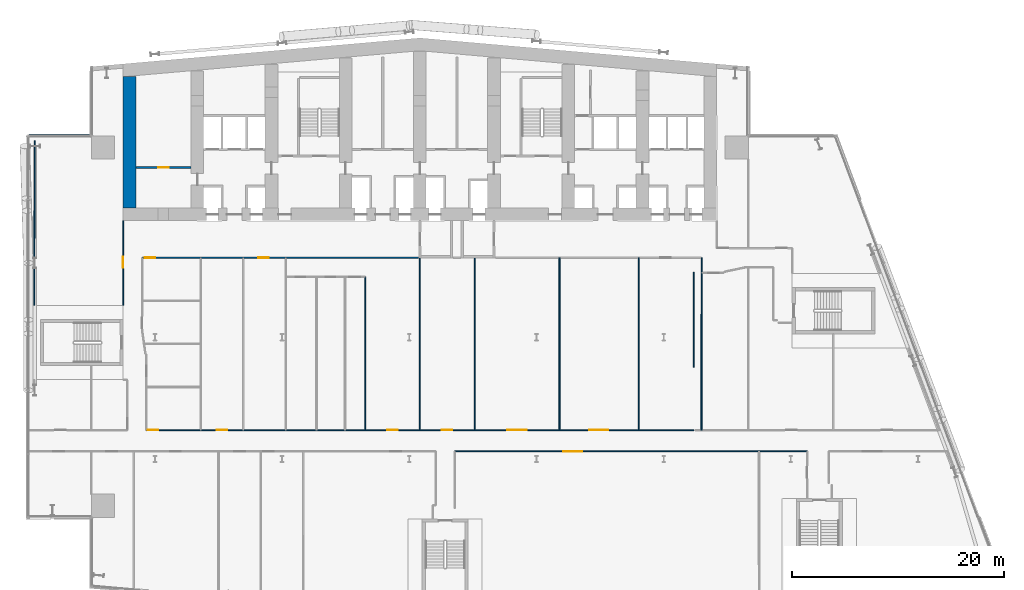
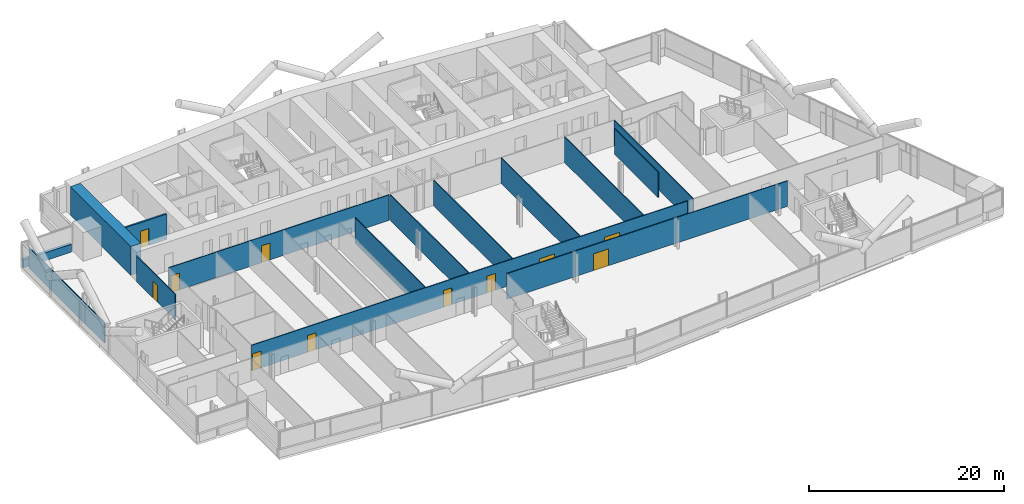
# One storey, part 15 of 27: 16 walls, 11 doors, 11 openings.
"""IFC4 building model written with IfcOpenShell, lengths in metres."""

from ifc_helpers import new_model, si_unit, direction, frame, frame_2d, origin, place, context, subcontext, project, spatial, rectangle, extrude, material, layer, layer_set, type_object, element, fill, save


model = new_model("IFC4")

# Units and contexts
model_context = context("Model", 3, precision=1e-05, world=origin(), true_north=direction((0.0, 1.0)))
body_context = subcontext(model_context, "Body", "Model", "MODEL_VIEW")
ifc_project = project(units=[si_unit("LENGTHUNIT", "METRE"), si_unit("AREAUNIT", "SQUARE_METRE"), si_unit("VOLUMEUNIT", "CUBIC_METRE"), si_unit("PLANEANGLEUNIT", "RADIAN"), si_unit("MASSUNIT", "GRAM", prefix="KILO")], contexts=[model_context])

# Site, building, storey
site_placement = place(None, origin())
site = spatial("IfcSite", under=ifc_project, at=site_placement, CompositionType="ELEMENT")
building_placement = place(site_placement, origin())
building = spatial("IfcBuilding", under=site, at=building_placement, Name="Wharfspan Tower", CompositionType="ELEMENT")
storey_placement = place(building_placement, frame((0.0, 0.0, 48.699951)))
storey = spatial("IfcBuildingStorey", under=building, at=storey_placement, Name="L08", CompositionType="ELEMENT", Elevation=48.699951)

# Wall, opening, door
ifc_material_1 = material(Name="Gypsum board on steel studs", Category="steel")
ifc_layer_1 = layer(ifc_material_1, 0.100098)
ifc_layer_set_1 = layer_set([ifc_layer_1], Name="Gypsum board on steel studs")
wall_type_1 = type_object("IfcWallType", Name="Compartment wall 100 EI 60", PredefinedType="PARTITIONING", material=ifc_layer_set_1)
wall_1_placement = place(storey_placement, frame((9.0, 26.02002, 0.0), z_axis=(0.0, 0.0, 1.0), x_axis=(0.0, 1.0, 0.0)))
wall_1 = element("IfcWall", 1, at=wall_1_placement, inside=storey, type_object=wall_type_1, Name="Partition L08.w008", PredefinedType="PARTITIONING", context=body_context, shape_type="SweptSolid", body=[
    extrude(rectangle(XDim=7.959961, YDim=0.100098, at=frame_2d((3.97998, 0.0))), origin(), (0.0, 0.0, 1.0), 3.199951),
])
opening_1_placement = place(wall_1_placement, frame((3.560059, 0.0, 0.0)))
opening_1 = element("IfcOpeningElement", 2, at=opening_1_placement, cuts=wall_1, Name="Opening A1-26", PredefinedType="OPENING", context=body_context, shape_type="SweptSolid", body=[
    extrude(rectangle(XDim=1.0, YDim=2.100098, at=frame_2d((0.5, 1.050049))), frame((0.0, 0.060059, 0.0), z_axis=(0.0, -1.0, 0.0), x_axis=(1.0, 0.0, 0.0)), (0.0, 0.0, 1.0), 0.120117),
])
ifc_material_2 = material(Name="Fire-rated timber door leaf in steel frame", Category="steel")
door_type_1 = type_object("IfcDoorType", Name="Door 1000 FD30S Right", OperationType="SINGLE_SWING_RIGHT", PredefinedType="DOOR", material=ifc_material_2)
door_1_placement = place(opening_1_placement, origin())
door_1 = element("IfcDoor", 3, at=door_1_placement, inside=storey, type_object=door_type_1, Name="Door A1-26", OperationType="SINGLE_SWING_RIGHT", OverallHeight=2.100098, OverallWidth=1.0, PredefinedType="DOOR", context=body_context, shape_type="SweptSolid", body=[
    extrude(rectangle(XDim=1.0, YDim=2.100098, at=frame_2d((0.5, 1.050049))), frame((0.0, 0.024902, 0.0), z_axis=(0.0, -1.0, 0.0), x_axis=(1.0, 0.0, 0.0)), (0.0, 0.0, 1.0), 0.050049),
])
fill(opening_1, door_1)

# Wall, openings, doors
wall_2_placement = place(storey_placement, frame((10.800049, 30.5, 0.0), z_axis=(0.0, 0.0, 1.0), x_axis=(1.0, 0.0, 0.0)))
wall_2 = element("IfcWall", 4, at=wall_2_placement, inside=storey, type_object=wall_type_1, Name="Partition L08.w014", PredefinedType="PARTITIONING", context=body_context, shape_type="SweptSolid", body=[
    extrude(rectangle(XDim=26.050049, YDim=0.100098, at=frame_2d((13.024902, 0.0))), origin(), (0.0, 0.0, 1.0), 3.199951),
])
opening_2_placement = place(wall_2_placement, frame((0.235107, 0.0, 0.0)))
opening_2 = element("IfcOpeningElement", 5, at=opening_2_placement, cuts=wall_2, Name="Opening A1-27", PredefinedType="OPENING", context=body_context, shape_type="SweptSolid", body=[
    extrude(rectangle(XDim=1.0, YDim=2.100098, at=frame_2d((0.5, 1.050049))), frame((0.0, 0.060059, 0.0), z_axis=(0.0, -1.0, 0.0), x_axis=(1.0, 0.0, 0.0)), (0.0, 0.0, 1.0), 0.120117),
])
opening_3_placement = place(wall_2_placement, frame((10.955078, 0.0, 0.0)))
opening_3 = element("IfcOpeningElement", 6, at=opening_3_placement, cuts=wall_2, Name="Opening A1-28", PredefinedType="OPENING", context=body_context, shape_type="SweptSolid", body=[
    extrude(rectangle(XDim=1.0, YDim=2.100098, at=frame_2d((0.5, 1.050049))), frame((0.0, 0.060059, 0.0), z_axis=(0.0, -1.0, 0.0), x_axis=(1.0, 0.0, 0.0)), (0.0, 0.0, 1.0), 0.120117),
])
door_type_2 = type_object("IfcDoorType", Name="Door 1000 FD30S Left", OperationType="SINGLE_SWING_LEFT", PredefinedType="DOOR", material=ifc_material_2)
door_2_placement = place(opening_2_placement, origin())
door_2 = element("IfcDoor", 7, at=door_2_placement, inside=storey, type_object=door_type_2, Name="Door A1-27", OperationType="SINGLE_SWING_LEFT", OverallHeight=2.100098, OverallWidth=1.0, PredefinedType="DOOR", context=body_context, shape_type="SweptSolid", body=[
    extrude(rectangle(XDim=1.0, YDim=2.100098, at=frame_2d((0.5, 1.050049))), frame((0.0, 0.024902, 0.0), z_axis=(0.0, -1.0, 0.0), x_axis=(1.0, 0.0, 0.0)), (0.0, 0.0, 1.0), 0.050049),
])
fill(opening_2, door_2)
door_3_placement = place(opening_3_placement, origin())
door_3 = element("IfcDoor", 8, at=door_3_placement, inside=storey, type_object=door_type_2, Name="Door A1-28", OperationType="SINGLE_SWING_LEFT", OverallHeight=2.100098, OverallWidth=1.0, PredefinedType="DOOR", context=body_context, shape_type="SweptSolid", body=[
    extrude(rectangle(XDim=1.0, YDim=2.100098, at=frame_2d((0.5, 1.050049))), frame((0.0, 0.024902, 0.0), z_axis=(0.0, -1.0, 0.0), x_axis=(1.0, 0.0, 0.0)), (0.0, 0.0, 1.0), 0.050049),
])
fill(opening_3, door_3)

wall_3_placement = place(storey_placement, frame((11.199951, 14.23999, 0.0), z_axis=(0.0, 0.0, 1.0), x_axis=(1.0, 0.0, 0.0)))
wall_3 = element("IfcWall", 9, at=wall_3_placement, inside=storey, type_object=wall_type_1, Name="Partition L08.w020", PredefinedType="PARTITIONING", context=body_context, shape_type="SweptSolid", body=[
    extrude(rectangle(XDim=51.63501, YDim=0.100098, at=frame_2d((25.817383, 0.0))), origin(), (0.0, 0.0, 1.0), 3.199951),
])
opening_4_placement = place(wall_3_placement, frame((0.11499, 0.0, 0.0)))
opening_4 = element("IfcOpeningElement", 10, at=opening_4_placement, cuts=wall_3, Name="Opening A1-11", PredefinedType="OPENING", context=body_context, shape_type="SweptSolid", body=[
    extrude(rectangle(XDim=1.0, YDim=2.100098, at=frame_2d((0.5, 1.050049))), frame((0.0, 0.060059, 0.0), z_axis=(0.0, -1.0, 0.0), x_axis=(1.0, 0.0, 0.0)), (0.0, 0.0, 1.0), 0.120117),
])
opening_5_placement = place(wall_3_placement, frame((6.63501, 0.0, 0.0)))
opening_5 = element("IfcOpeningElement", 11, at=opening_5_placement, cuts=wall_3, Name="Opening A1-12", PredefinedType="OPENING", context=body_context, shape_type="SweptSolid", body=[
    extrude(rectangle(XDim=1.0, YDim=2.100098, at=frame_2d((0.5, 1.050049))), frame((0.0, 0.060059, 0.0), z_axis=(0.0, -1.0, 0.0), x_axis=(1.0, 0.0, 0.0)), (0.0, 0.0, 1.0), 0.120117),
])
opening_6_placement = place(wall_3_placement, frame((22.699951, 0.0, 0.0)))
opening_6 = element("IfcOpeningElement", 12, at=opening_6_placement, cuts=wall_3, Name="Opening A1-13", PredefinedType="OPENING", context=body_context, shape_type="SweptSolid", body=[
    extrude(rectangle(XDim=1.0, YDim=2.100098, at=frame_2d((0.5, 1.050049))), frame((0.0, 0.060059, 0.0), z_axis=(0.0, -1.0, 0.0), x_axis=(1.0, 0.0, 0.0)), (0.0, 0.0, 1.0), 0.120117),
])
opening_7_placement = place(wall_3_placement, frame((27.86499, 0.0, 0.0)))
opening_7 = element("IfcOpeningElement", 13, at=opening_7_placement, cuts=wall_3, Name="Opening A1-14", PredefinedType="OPENING", context=body_context, shape_type="SweptSolid", body=[
    extrude(rectangle(XDim=1.0, YDim=2.100098, at=frame_2d((0.5, 1.050049))), frame((0.0, 0.060059, 0.0), z_axis=(0.0, -1.0, 0.0), x_axis=(1.0, 0.0, 0.0)), (0.0, 0.0, 1.0), 0.120117),
])
opening_8_placement = place(wall_3_placement, frame((34.064941, 0.0, 0.0)))
opening_8 = element("IfcOpeningElement", 14, at=opening_8_placement, cuts=wall_3, Name="Opening A1-15", PredefinedType="OPENING", context=body_context, shape_type="SweptSolid", body=[
    extrude(rectangle(XDim=1.800049, YDim=2.100098, at=frame_2d((0.899902, 1.050049))), frame((0.0, 0.060059, 0.0), z_axis=(0.0, -1.0, 0.0), x_axis=(1.0, 0.0, 0.0)), (0.0, 0.0, 1.0), 0.120117),
])
opening_9_placement = place(wall_3_placement, frame((41.764893, 0.0, 0.0)))
opening_9 = element("IfcOpeningElement", 15, at=opening_9_placement, cuts=wall_3, Name="Opening A1-16", PredefinedType="OPENING", context=body_context, shape_type="SweptSolid", body=[
    extrude(rectangle(XDim=1.800049, YDim=2.100098, at=frame_2d((0.899902, 1.050049))), frame((0.0, 0.060059, 0.0), z_axis=(0.0, -1.0, 0.0), x_axis=(1.0, 0.0, 0.0)), (0.0, 0.0, 1.0), 0.120117),
])
door_4_placement = place(opening_4_placement, origin())
door_4 = element("IfcDoor", 16, at=door_4_placement, inside=storey, type_object=door_type_2, Name="Door A1-11", OperationType="SINGLE_SWING_LEFT", OverallHeight=2.100098, OverallWidth=1.0, PredefinedType="DOOR", context=body_context, shape_type="SweptSolid", body=[
    extrude(rectangle(XDim=1.0, YDim=2.100098, at=frame_2d((0.5, 1.050049))), frame((0.0, 0.024902, 0.0), z_axis=(0.0, -1.0, 0.0), x_axis=(1.0, 0.0, 0.0)), (0.0, 0.0, 1.0), 0.050049),
])
fill(opening_4, door_4)
door_5_placement = place(opening_5_placement, origin())
door_5 = element("IfcDoor", 17, at=door_5_placement, inside=storey, type_object=door_type_2, Name="Door A1-12", OperationType="SINGLE_SWING_LEFT", OverallHeight=2.100098, OverallWidth=1.0, PredefinedType="DOOR", context=body_context, shape_type="SweptSolid", body=[
    extrude(rectangle(XDim=1.0, YDim=2.100098, at=frame_2d((0.5, 1.050049))), frame((0.0, 0.024902, 0.0), z_axis=(0.0, -1.0, 0.0), x_axis=(1.0, 0.0, 0.0)), (0.0, 0.0, 1.0), 0.050049),
])
fill(opening_5, door_5)
door_6_placement = place(opening_6_placement, origin())
door_6 = element("IfcDoor", 18, at=door_6_placement, inside=storey, type_object=door_type_2, Name="Door A1-13", OperationType="SINGLE_SWING_LEFT", OverallHeight=2.100098, OverallWidth=1.0, PredefinedType="DOOR", context=body_context, shape_type="SweptSolid", body=[
    extrude(rectangle(XDim=1.0, YDim=2.100098, at=frame_2d((0.5, 1.050049))), frame((0.0, 0.024902, 0.0), z_axis=(0.0, -1.0, 0.0), x_axis=(1.0, 0.0, 0.0)), (0.0, 0.0, 1.0), 0.050049),
])
fill(opening_6, door_6)
door_7_placement = place(opening_7_placement, origin())
door_7 = element("IfcDoor", 19, at=door_7_placement, inside=storey, type_object=door_type_1, Name="Door A1-14", OperationType="SINGLE_SWING_RIGHT", OverallHeight=2.100098, OverallWidth=1.0, PredefinedType="DOOR", context=body_context, shape_type="SweptSolid", body=[
    extrude(rectangle(XDim=1.0, YDim=2.100098, at=frame_2d((0.5, 1.050049))), frame((0.0, 0.024902, 0.0), z_axis=(0.0, -1.0, 0.0), x_axis=(1.0, 0.0, 0.0)), (0.0, 0.0, 1.0), 0.050049),
])
fill(opening_7, door_7)
door_type_3 = type_object("IfcDoorType", Name="Door 1800 FD30S Double", OperationType="DOUBLE_DOOR_SINGLE_SWING", PredefinedType="DOOR", material=ifc_material_2)
door_8_placement = place(opening_8_placement, origin())
door_8 = element("IfcDoor", 20, at=door_8_placement, inside=storey, type_object=door_type_3, Name="Door A1-15", OperationType="DOUBLE_DOOR_SINGLE_SWING", OverallHeight=2.100098, OverallWidth=1.800049, PredefinedType="DOOR", context=body_context, shape_type="SweptSolid", body=[
    extrude(rectangle(XDim=1.800049, YDim=2.100098, at=frame_2d((0.899902, 1.050049))), frame((0.0, 0.024902, 0.0), z_axis=(0.0, -1.0, 0.0), x_axis=(1.0, 0.0, 0.0)), (0.0, 0.0, 1.0), 0.050049),
])
fill(opening_8, door_8)
door_9_placement = place(opening_9_placement, origin())
door_9 = element("IfcDoor", 21, at=door_9_placement, inside=storey, type_object=door_type_3, Name="Door A1-16", OperationType="DOUBLE_DOOR_SINGLE_SWING", OverallHeight=2.100098, OverallWidth=1.800049, PredefinedType="DOOR", context=body_context, shape_type="SweptSolid", body=[
    extrude(rectangle(XDim=1.800049, YDim=2.100098, at=frame_2d((0.899902, 1.050049))), frame((0.0, 0.024902, 0.0), z_axis=(0.0, -1.0, 0.0), x_axis=(1.0, 0.0, 0.0)), (0.0, 0.0, 1.0), 0.050049),
])
fill(opening_9, door_9)

# Walls
wall_4_placement = place(storey_placement, frame((31.834961, 14.23999, 0.0), z_axis=(0.0, 0.0, 1.0), x_axis=(0.0, 1.0, 0.0)))
element("IfcWall", 22, at=wall_4_placement, inside=storey, type_object=wall_type_1, Name="Partition L08.w033", PredefinedType="PARTITIONING", context=body_context, shape_type="SweptSolid", body=[
    extrude(rectangle(XDim=14.459961, YDim=0.100098, at=frame_2d((7.22998, 0.0))), origin(), (0.0, 0.0, 1.0), 3.199951),
])
wall_5_placement = place(storey_placement, frame((37.0, 14.23999, 0.0), z_axis=(0.0, 0.0, 1.0), x_axis=(0.0, 1.0, 0.0)))
element("IfcWall", 23, at=wall_5_placement, inside=storey, type_object=wall_type_1, Name="Partition L08.w035", PredefinedType="PARTITIONING", context=body_context, shape_type="SweptSolid", body=[
    extrude(rectangle(XDim=16.26001, YDim=0.100098, at=frame_2d((8.129883, 0.0))), origin(), (0.0, 0.0, 1.0), 3.199951),
])

# Wall, opening, door
wall_6_placement = place(storey_placement, frame((40.284912, 12.23999, 0.0), z_axis=(0.0, 0.0, 1.0), x_axis=(1.0, 0.0, 0.0)))
wall_6 = element("IfcWall", 24, at=wall_6_placement, inside=storey, type_object=wall_type_1, Name="Partition L08.w040", PredefinedType="PARTITIONING", context=body_context, shape_type="SweptSolid", body=[
    extrude(rectangle(XDim=33.255127, YDim=0.100098, at=frame_2d((16.627441, 0.0))), origin(), (0.0, 0.0, 1.0), 3.199951),
])
opening_10_placement = place(wall_6_placement, frame((10.235107, 0.0, 0.0)))
opening_10 = element("IfcOpeningElement", 25, at=opening_10_placement, cuts=wall_6, Name="Opening A1-08", PredefinedType="OPENING", context=body_context, shape_type="SweptSolid", body=[
    extrude(rectangle(XDim=1.800049, YDim=2.100098, at=frame_2d((0.899902, 1.050049))), frame((0.0, 0.060059, 0.0), z_axis=(0.0, -1.0, 0.0), x_axis=(1.0, 0.0, 0.0)), (0.0, 0.0, 1.0), 0.120117),
])
door_10_placement = place(opening_10_placement, origin())
door_10 = element("IfcDoor", 26, at=door_10_placement, inside=storey, type_object=door_type_3, Name="Door A1-08", OperationType="DOUBLE_DOOR_SINGLE_SWING", OverallHeight=2.100098, OverallWidth=1.800049, PredefinedType="DOOR", context=body_context, shape_type="SweptSolid", body=[
    extrude(rectangle(XDim=1.800049, YDim=2.100098, at=frame_2d((0.899902, 1.050049))), frame((0.0, 0.024902, 0.0), z_axis=(0.0, -1.0, 0.0), x_axis=(1.0, 0.0, 0.0)), (0.0, 0.0, 1.0), 0.050049),
])
fill(opening_10, door_10)

# Walls
for number, where, z_axis, x_axis, name in (
    (27, (42.169922, 14.23999, 0.0), (0.0, 0.0, 1.0), (0.0, 1.0, 0.0), "Partition L08.w041"),
    (28, (50.169922, 14.23999, 0.0), (0.0, 0.0, 1.0), (0.0, 1.0, 0.0), "Partition L08.w042"),
    (29, (57.669922, 14.23999, 0.0), (0.0, 0.0, 1.0), (0.0, 1.0, 0.0), "Partition L08.w043"),
):
    element("IfcWall", number, at=place(storey_placement, frame(where, z_axis=z_axis, x_axis=x_axis)), inside=storey, type_object=wall_type_1, Name=name, PredefinedType="PARTITIONING", context=body_context, shape_type="SweptSolid", body=[
        extrude(rectangle(XDim=16.26001, YDim=0.100098, at=frame_2d((8.129883, 0.0))), origin(), (0.0, 0.0, 1.0), 3.199951),
    ])
wall_7_placement = place(storey_placement, frame((63.570068, 14.245117, 0.0), z_axis=(0.0, 0.0, 1.0), x_axis=(0.000331, 1.000002, 0.0)))
element("IfcWall", 30, at=wall_7_placement, inside=storey, type_object=wall_type_1, Name="Partition L08.w048", PredefinedType="PARTITIONING", context=body_context, shape_type="SweptSolid", body=[
    extrude(rectangle(XDim=16.233398, YDim=0.100098, at=frame_2d((8.116699, 0.0))), origin(), (0.0, 0.0, 1.0), 3.199951),
])

# Wall, opening, door
ifc_material_3 = material(Name="Calcium silicate masonry", Category="masonry")
ifc_layer_2 = layer(ifc_material_3, 0.199951)
ifc_layer_set_2 = layer_set([ifc_layer_2], Name="Calcium silicate masonry")
wall_type_2 = type_object("IfcWallType", Name="Core room wall 200", PredefinedType="PARTITIONING", material=ifc_layer_set_2)
wall_8_placement = place(storey_placement, frame((10.199951, 39.0, 0.0), z_axis=(0.0, 0.0, 1.0), x_axis=(1.0, 0.0, 0.0)))
wall_8 = element("IfcWall", 31, at=wall_8_placement, inside=storey, type_object=wall_type_2, Name="sw:L08:RM0", PredefinedType="PARTITIONING", context=body_context, shape_type="SweptSolid", body=[
    extrude(rectangle(XDim=5.199951, YDim=0.199951, at=frame_2d((2.600098, 0.0))), origin(), (0.0, 0.0, 1.0), 3.199951),
])
opening_11_placement = place(wall_8_placement, frame((2.100098, 0.0, 0.0)))
opening_11 = element("IfcOpeningElement", 32, at=opening_11_placement, cuts=wall_8, Name="Opening CD08.02", PredefinedType="OPENING", context=body_context, shape_type="SweptSolid", body=[
    extrude(rectangle(XDim=1.0, YDim=2.100098, at=frame_2d((0.5, 1.050049))), frame((0.0, 0.109863, 0.0), z_axis=(0.0, -1.0, 0.0), x_axis=(1.0, 0.0, 0.0)), (0.0, 0.0, 1.0), 0.219971),
])
ifc_material_4 = material(Name="Steel door leaf", Category="steel")
door_type_4 = type_object("IfcDoorType", Name="Core room door 1000x2100", OperationType="SINGLE_SWING_LEFT", PredefinedType="DOOR", material=ifc_material_4)
door_11_placement = place(opening_11_placement, origin())
door_11 = element("IfcDoor", 33, at=door_11_placement, inside=storey, type_object=door_type_4, Name="d:L08:0:rr", OperationType="SINGLE_SWING_RIGHT", OverallHeight=2.100098, OverallWidth=1.0, PredefinedType="DOOR", context=body_context, shape_type="SweptSolid", body=[
    extrude(rectangle(XDim=1.0, YDim=2.100098, at=frame_2d((0.5, 1.050049))), frame((0.0, 0.024902, 0.0), z_axis=(0.0, -1.0, 0.0), x_axis=(1.0, 0.0, 0.0)), (0.0, 0.0, 1.0), 0.050049),
])
fill(opening_11, door_11)

# Walls
ifc_material_5 = material(Name="Concrete C70/85", Category="concrete")
ifc_layer_3 = layer(ifc_material_5, 1.199951)
ifc_layer_set_3 = layer_set([ifc_layer_3], Name="Concrete C70/85")
wall_type_3 = type_object("IfcWallType", Name="Core wall 1200 C70/85", PredefinedType="SHEAR", material=ifc_layer_set_3)
wall_9_placement = place(storey_placement, frame((9.600098, 35.199951, 0.0), z_axis=(0.0, 0.0, 1.0), x_axis=(0.0, 1.0, 0.0)))
element("IfcWall", 34, at=wall_9_placement, inside=storey, type_object=wall_type_3, Name="Core cross wall EW0 L08", PredefinedType="SHEAR", context=body_context, shape_type="SweptSolid", body=[
    extrude(rectangle(XDim=12.382812, YDim=1.199951, at=frame_2d((6.191406, 0.0))), origin(), (0.0, 0.0, 1.0), 3.600098),
])
ifc_layer_4 = layer(ifc_material_1, 0.100098)
ifc_layer_set_4 = layer_set([ifc_layer_4], Name="Gypsum board on steel studs")
wall_type_4 = type_object("IfcWallType", Name="Partition 100", PredefinedType="PARTITIONING", material=ifc_layer_set_4)
wall_10_placement = place(storey_placement, frame((0.629883, 26.02002, 0.0), z_axis=(0.0, 0.0, 1.0), x_axis=(0.0, 1.0, 0.0)))
element("IfcWall", 35, at=wall_10_placement, inside=storey, type_object=wall_type_4, Name="Partition L08.w004", PredefinedType="PARTITIONING", context=body_context, shape_type="SweptSolid", body=[
    extrude(rectangle(XDim=3.97998, YDim=0.100098, at=frame_2d((1.98999, 0.0))), origin(), (0.0, 0.0, 1.0), 2.580078),
])
wall_11_placement = place(storey_placement, frame((0.629883, 30.0, 0.0), z_axis=(0.0, 0.0, 1.0), x_axis=(0.00218, 0.999994, 0.0)))
element("IfcWall", 36, at=wall_11_placement, inside=storey, type_object=wall_type_4, Name="Partition L08.w005", PredefinedType="PARTITIONING", context=body_context, shape_type="SweptSolid", body=[
    extrude(rectangle(XDim=11.534912, YDim=0.100098, at=frame_2d((5.767578, 0.0))), origin(), (0.0, 0.0, 1.0), 2.580078),
])
wall_12_placement = place(storey_placement, frame((62.834961, 20.175049, 0.0), z_axis=(0.0, 0.0, 1.0), x_axis=(0.0, 1.0, 0.0)))
element("IfcWall", 37, at=wall_12_placement, inside=storey, type_object=wall_type_4, Name="Partition L08.w045", PredefinedType="PARTITIONING", context=body_context, shape_type="SweptSolid", body=[
    extrude(rectangle(XDim=8.935303, YDim=0.100098, at=frame_2d((4.467773, 0.0))), origin(), (0.0, 0.0, 1.0), 3.199951),
])
ifc_material_6 = material(Name="Concrete C40/50", Category="concrete")
ifc_layer_5 = layer(ifc_material_6, 0.350098)
ifc_layer_set_5 = layer_set([ifc_layer_5], Name="Concrete C40/50")
wall_type_5 = type_object("IfcWallType", Name="SPANDREL EXPOSED CONCRETE 350", PredefinedType="SOLIDWALL", material=ifc_layer_set_5)
wall_13_placement = place(storey_placement, frame((5.820068, 42.004883, 0.0), z_axis=(0.0, 0.0, 1.0), x_axis=(-1.0, 0.0, 0.0)))
element("IfcWall", 38, at=wall_13_placement, inside=storey, type_object=wall_type_5, Name="Spandrel upstand L08 NRW-H", PredefinedType="SOLIDWALL", context=body_context, shape_type="SweptSolid", body=[
    extrude(rectangle(XDim=5.699951, YDim=0.350098, at=frame_2d((2.850098, 0.0))), origin(), (0.0, 0.0, 1.0), 1.0),
])

save(model, "model.ifc")
